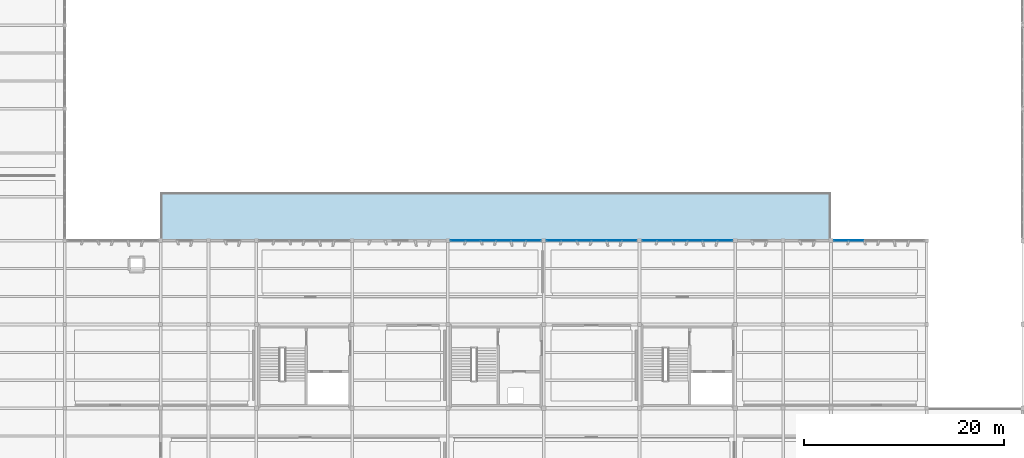
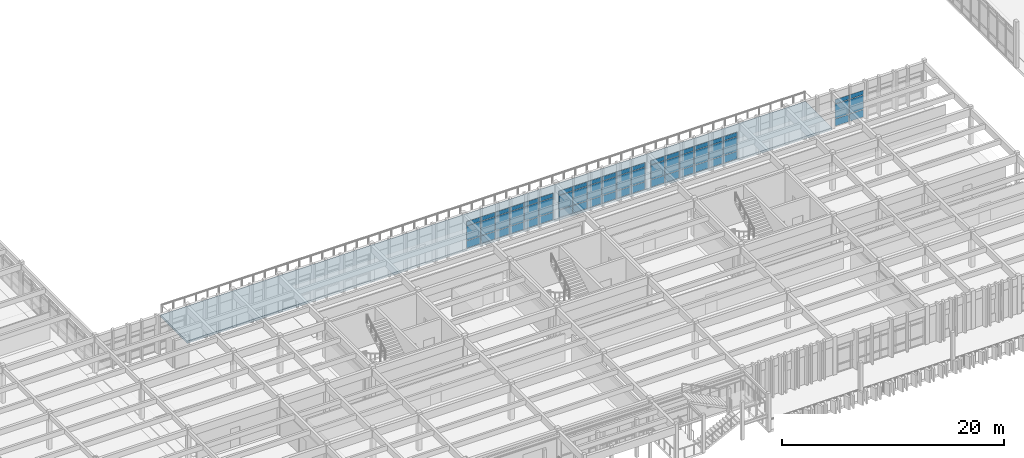
# One storey, part 32 of 61: 60 plates, 1 slab, 4 elements without a shape of their own.
"""IFC4 building model written with IfcOpenShell, lengths in metres."""

from ifc_helpers import new_model, si_unit, direction, frame, origin, origin_2d, place, context, subcontext, project, spatial, polyline, rectangle, outline, extrude, material, layer, layer_set, type_object, element, aggregate, save


model = new_model("IFC4")

# Units and contexts
model_context = context("Model", 3, precision=1e-05, world=origin(), true_north=direction((0.0, 1.0)))
body_context = subcontext(model_context, "Body", "Model", "MODEL_VIEW")
ifc_project = project(units=[si_unit("LENGTHUNIT", "METRE"), si_unit("AREAUNIT", "SQUARE_METRE"), si_unit("VOLUMEUNIT", "CUBIC_METRE"), si_unit("PLANEANGLEUNIT", "RADIAN"), si_unit("MASSUNIT", "GRAM", prefix="KILO")], contexts=[model_context])

# Site, building, storey
site_placement = place(None, origin())
site = spatial("IfcSite", under=ifc_project, at=site_placement, CompositionType="ELEMENT")
building_placement = place(site_placement, origin())
building = spatial("IfcBuilding", under=site, at=building_placement, Name="Kolvemor Railside Polytechnic", CompositionType="ELEMENT")
storey_placement = place(building_placement, frame((0.0, 0.0, 10.199951171875)))
storey = spatial("IfcBuildingStorey", under=building, at=storey_placement, Name="L02", CompositionType="ELEMENT", Elevation=10.199951171875)

# Curtain wall, plates
ifc_material_1 = material(Name="Anodised marine aluminium and laminated low-E glass", Category="aluminium")
ifc_layer_1 = layer(ifc_material_1, 0.179931640625, Name="CW-UNIT-STD")
ifc_layer_set_1 = layer_set([ifc_layer_1], Name="Anodised marine aluminium and laminated low-E glass")
curtain_wall_type = type_object("IfcCurtainWallType", Name="CW-UNIT-STD", PredefinedType="USERDEFINED", material=ifc_layer_set_1)
curtain_wall_1_placement = place(storey_placement, origin())
curtain_wall_1 = element("IfcCurtainWall", 1, at=curtain_wall_1_placement, inside=storey, type_object=curtain_wall_type, Name="Curtain Wall L02-122", ObjectType="UNITISED CURTAIN WALL", PredefinedType="USERDEFINED")
ifc_material_2 = material(Name="Hurricane-laminated solar-control low-E glass", Category="glass")
ifc_layer_2 = layer(ifc_material_2, 0.0380859375, Name="CWP-GLZ-09")
ifc_layer_set_2 = layer_set([ifc_layer_2], Name="Hurricane-laminated solar-control low-E glass")
plate_type_1 = type_object("IfcPlateType", Name="CWP-GLZ-09", PredefinedType="CURTAIN_PANEL", material=ifc_layer_set_2)
plate_1_placement = place(storey_placement, frame((94.983642578125, 38.39990234375, 0.06494140625), z_axis=(0.0, 0.0, 1.0), x_axis=(-1.0, 0.0, 0.0)))
plate_1 = element("IfcPlate", 2, at=plate_1_placement, type_object=plate_type_1, Name="CW-STD panel 1.1", PredefinedType="CURTAIN_PANEL", context=body_context, shape_type="SweptSolid", body=[
    extrude(rectangle(XDim=1.422607421875, YDim=0.0380859375, at=origin_2d()), origin(), (0.0, 0.0, 1.0), 0.802490234375),
])
plate_2_placement = place(storey_placement, frame((94.983642578125, 38.39990234375, 0.9326171875), z_axis=(0.0, 0.0, 1.0), x_axis=(-1.0, 0.0, 0.0)))
plate_2 = element("IfcPlate", 3, at=plate_2_placement, type_object=plate_type_1, Name="CW-STD panel 1.2", PredefinedType="CURTAIN_PANEL", context=body_context, shape_type="SweptSolid", body=[
    extrude(rectangle(XDim=1.422607421875, YDim=0.0380859375, at=origin_2d()), origin(), (0.0, 0.0, 1.0), 1.534912109375),
])
plate_3_placement = place(storey_placement, frame((94.983642578125, 38.39990234375, 2.53271484375), z_axis=(0.0, 0.0, 1.0), x_axis=(-1.0, 0.0, 0.0)))
plate_3 = element("IfcPlate", 4, at=plate_3_placement, type_object=plate_type_1, Name="CW-STD panel 1.3", PredefinedType="CURTAIN_PANEL", context=body_context, shape_type="SweptSolid", body=[
    extrude(rectangle(XDim=1.422607421875, YDim=0.0380859375, at=origin_2d()), origin(), (0.0, 0.0, 1.0), 0.452392578125),
])
plate_4_placement = place(storey_placement, frame((93.47998046875, 38.39990234375, 0.06494140625), z_axis=(0.0, 0.0, 1.0), x_axis=(-1.0, 0.0, 0.0)))
plate_4 = element("IfcPlate", 5, at=plate_4_placement, type_object=plate_type_1, Name="CW-STD panel 2.1", PredefinedType="CURTAIN_PANEL", context=body_context, shape_type="SweptSolid", body=[
    extrude(rectangle(XDim=1.455078125, YDim=0.0380859375, at=origin_2d()), origin(), (0.0, 0.0, 1.0), 0.802490234375),
])
plate_5_placement = place(storey_placement, frame((93.47998046875, 38.39990234375, 0.9326171875), z_axis=(0.0, 0.0, 1.0), x_axis=(-1.0, 0.0, 0.0)))
plate_5 = element("IfcPlate", 6, at=plate_5_placement, type_object=plate_type_1, Name="CW-STD panel 2.2", PredefinedType="CURTAIN_PANEL", context=body_context, shape_type="SweptSolid", body=[
    extrude(rectangle(XDim=1.455078125, YDim=0.0380859375, at=origin_2d()), origin(), (0.0, 0.0, 1.0), 1.534912109375),
])
plate_6_placement = place(storey_placement, frame((93.47998046875, 38.39990234375, 2.53271484375), z_axis=(0.0, 0.0, 1.0), x_axis=(-1.0, 0.0, 0.0)))
plate_6 = element("IfcPlate", 7, at=plate_6_placement, type_object=plate_type_1, Name="CW-STD panel 2.3", PredefinedType="CURTAIN_PANEL", context=body_context, shape_type="SweptSolid", body=[
    extrude(rectangle(XDim=1.455078125, YDim=0.0380859375, at=origin_2d()), origin(), (0.0, 0.0, 1.0), 0.452392578125),
])
plate_7_placement = place(storey_placement, frame((91.9599609375, 38.39990234375, 0.06494140625), z_axis=(0.0, 0.0, 1.0), x_axis=(-1.0, 0.0, 0.0)))
plate_7 = element("IfcPlate", 8, at=plate_7_placement, type_object=plate_type_1, Name="CW-STD panel 3.1", PredefinedType="CURTAIN_PANEL", context=body_context, shape_type="SweptSolid", body=[
    extrude(rectangle(XDim=1.455078125, YDim=0.0380859375, at=origin_2d()), origin(), (0.0, 0.0, 1.0), 0.802490234375),
])
plate_8_placement = place(storey_placement, frame((91.9599609375, 38.39990234375, 0.9326171875), z_axis=(0.0, 0.0, 1.0), x_axis=(-1.0, 0.0, 0.0)))
plate_8 = element("IfcPlate", 9, at=plate_8_placement, type_object=plate_type_1, Name="CW-STD panel 3.2", PredefinedType="CURTAIN_PANEL", context=body_context, shape_type="SweptSolid", body=[
    extrude(rectangle(XDim=1.455078125, YDim=0.0380859375, at=origin_2d()), origin(), (0.0, 0.0, 1.0), 1.534912109375),
])
plate_9_placement = place(storey_placement, frame((91.9599609375, 38.39990234375, 2.53271484375), z_axis=(0.0, 0.0, 1.0), x_axis=(-1.0, 0.0, 0.0)))
plate_9 = element("IfcPlate", 10, at=plate_9_placement, type_object=plate_type_1, Name="CW-STD panel 3.3", PredefinedType="CURTAIN_PANEL", context=body_context, shape_type="SweptSolid", body=[
    extrude(rectangle(XDim=1.455078125, YDim=0.0380859375, at=origin_2d()), origin(), (0.0, 0.0, 1.0), 0.452392578125),
])
plate_10_placement = place(storey_placement, frame((90.43994140625, 38.39990234375, 0.06494140625), z_axis=(0.0, 0.0, 1.0), x_axis=(-1.0, 0.0, 0.0)))
plate_10 = element("IfcPlate", 11, at=plate_10_placement, type_object=plate_type_1, Name="CW-STD panel 4.1", PredefinedType="CURTAIN_PANEL", context=body_context, shape_type="SweptSolid", body=[
    extrude(rectangle(XDim=1.455078125, YDim=0.0380859375, at=origin_2d()), origin(), (0.0, 0.0, 1.0), 0.802490234375),
])
plate_11_placement = place(storey_placement, frame((90.43994140625, 38.39990234375, 0.9326171875), z_axis=(0.0, 0.0, 1.0), x_axis=(-1.0, 0.0, 0.0)))
plate_11 = element("IfcPlate", 12, at=plate_11_placement, type_object=plate_type_1, Name="CW-STD panel 4.2", PredefinedType="CURTAIN_PANEL", context=body_context, shape_type="SweptSolid", body=[
    extrude(rectangle(XDim=1.455078125, YDim=0.0380859375, at=origin_2d()), origin(), (0.0, 0.0, 1.0), 1.534912109375),
])
plate_12_placement = place(storey_placement, frame((90.43994140625, 38.39990234375, 2.53271484375), z_axis=(0.0, 0.0, 1.0), x_axis=(-1.0, 0.0, 0.0)))
plate_12 = element("IfcPlate", 13, at=plate_12_placement, type_object=plate_type_1, Name="CW-STD panel 4.3", PredefinedType="CURTAIN_PANEL", context=body_context, shape_type="SweptSolid", body=[
    extrude(rectangle(XDim=1.455078125, YDim=0.0380859375, at=origin_2d()), origin(), (0.0, 0.0, 1.0), 0.452392578125),
])
plate_13_placement = place(storey_placement, frame((88.919921875, 38.39990234375, 0.06494140625), z_axis=(0.0, 0.0, 1.0), x_axis=(-1.0, 0.0, 0.0)))
plate_13 = element("IfcPlate", 14, at=plate_13_placement, type_object=plate_type_1, Name="CW-STD panel 5.1", PredefinedType="CURTAIN_PANEL", context=body_context, shape_type="SweptSolid", body=[
    extrude(rectangle(XDim=1.455078125, YDim=0.0380859375, at=origin_2d()), origin(), (0.0, 0.0, 1.0), 0.802490234375),
])
plate_14_placement = place(storey_placement, frame((88.919921875, 38.39990234375, 0.9326171875), z_axis=(0.0, 0.0, 1.0), x_axis=(-1.0, 0.0, 0.0)))
plate_14 = element("IfcPlate", 15, at=plate_14_placement, type_object=plate_type_1, Name="CW-STD panel 5.2", PredefinedType="CURTAIN_PANEL", context=body_context, shape_type="SweptSolid", body=[
    extrude(rectangle(XDim=1.455078125, YDim=0.0380859375, at=origin_2d()), origin(), (0.0, 0.0, 1.0), 1.534912109375),
])
plate_15_placement = place(storey_placement, frame((88.919921875, 38.39990234375, 2.53271484375), z_axis=(0.0, 0.0, 1.0), x_axis=(-1.0, 0.0, 0.0)))
plate_15 = element("IfcPlate", 16, at=plate_15_placement, type_object=plate_type_1, Name="CW-STD panel 5.3", PredefinedType="CURTAIN_PANEL", context=body_context, shape_type="SweptSolid", body=[
    extrude(rectangle(XDim=1.455078125, YDim=0.0380859375, at=origin_2d()), origin(), (0.0, 0.0, 1.0), 0.452392578125),
])
plate_16_placement = place(storey_placement, frame((87.416259765625, 38.39990234375, 0.06494140625), z_axis=(0.0, 0.0, 1.0), x_axis=(-1.0, 0.0, 0.0)))
plate_16 = element("IfcPlate", 17, at=plate_16_placement, type_object=plate_type_1, Name="CW-STD panel 6.1", PredefinedType="CURTAIN_PANEL", context=body_context, shape_type="SweptSolid", body=[
    extrude(rectangle(XDim=1.422607421875, YDim=0.0380859375, at=origin_2d()), origin(), (0.0, 0.0, 1.0), 0.802490234375),
])
plate_17_placement = place(storey_placement, frame((87.416259765625, 38.39990234375, 0.9326171875), z_axis=(0.0, 0.0, 1.0), x_axis=(-1.0, 0.0, 0.0)))
plate_17 = element("IfcPlate", 18, at=plate_17_placement, type_object=plate_type_1, Name="CW-STD panel 6.2", PredefinedType="CURTAIN_PANEL", context=body_context, shape_type="SweptSolid", body=[
    extrude(rectangle(XDim=1.422607421875, YDim=0.0380859375, at=origin_2d()), origin(), (0.0, 0.0, 1.0), 1.534912109375),
])
plate_18_placement = place(storey_placement, frame((87.416259765625, 38.39990234375, 2.53271484375), z_axis=(0.0, 0.0, 1.0), x_axis=(-1.0, 0.0, 0.0)))
plate_18 = element("IfcPlate", 19, at=plate_18_placement, type_object=plate_type_1, Name="CW-STD panel 6.3", PredefinedType="CURTAIN_PANEL", context=body_context, shape_type="SweptSolid", body=[
    extrude(rectangle(XDim=1.422607421875, YDim=0.0380859375, at=origin_2d()), origin(), (0.0, 0.0, 1.0), 0.452392578125),
])
aggregate(curtain_wall_1, [plate_1, plate_2, plate_3, plate_4, plate_5, plate_6, plate_7, plate_8, plate_9, plate_10, plate_11, plate_12, plate_13, plate_14, plate_15, plate_16, plate_17, plate_18])

curtain_wall_2_placement = place(storey_placement, origin())
curtain_wall_2 = element("IfcCurtainWall", 20, at=curtain_wall_2_placement, inside=storey, type_object=curtain_wall_type, Name="Curtain Wall L02-123", ObjectType="UNITISED CURTAIN WALL", PredefinedType="USERDEFINED")
ifc_material_3 = material(Name="Hurricane-laminated solar-control low-E glass", Category="glass")
ifc_layer_3 = layer(ifc_material_3, 0.0400390625, Name="CWP-GLZ-10")
ifc_layer_set_3 = layer_set([ifc_layer_3], Name="Hurricane-laminated solar-control low-E glass")
plate_type_2 = type_object("IfcPlateType", Name="CWP-GLZ-10", PredefinedType="CURTAIN_PANEL", material=ifc_layer_set_3)
plate_19_placement = place(storey_placement, frame((104.583740234375, 38.39990234375, 0.06494140625), z_axis=(0.0, 0.0, 1.0), x_axis=(-1.0, 0.0, 0.0)))
plate_19 = element("IfcPlate", 21, at=plate_19_placement, type_object=plate_type_2, Name="CW-STD panel 1.1", PredefinedType="CURTAIN_PANEL", context=body_context, shape_type="SweptSolid", body=[
    extrude(rectangle(XDim=1.422607421875, YDim=0.0400390625, at=origin_2d()), origin(), (0.0, 0.0, 1.0), 0.802490234375),
])
plate_20_placement = place(storey_placement, frame((104.583740234375, 38.39990234375, 0.9326171875), z_axis=(0.0, 0.0, 1.0), x_axis=(-1.0, 0.0, 0.0)))
plate_20 = element("IfcPlate", 22, at=plate_20_placement, type_object=plate_type_2, Name="CW-STD panel 1.2", PredefinedType="CURTAIN_PANEL", context=body_context, shape_type="SweptSolid", body=[
    extrude(rectangle(XDim=1.422607421875, YDim=0.0400390625, at=origin_2d()), origin(), (0.0, 0.0, 1.0), 1.534912109375),
])
plate_21_placement = place(storey_placement, frame((104.583740234375, 38.39990234375, 2.53271484375), z_axis=(0.0, 0.0, 1.0), x_axis=(-1.0, 0.0, 0.0)))
plate_21 = element("IfcPlate", 23, at=plate_21_placement, type_object=plate_type_2, Name="CW-STD panel 1.3", PredefinedType="CURTAIN_PANEL", context=body_context, shape_type="SweptSolid", body=[
    extrude(rectangle(XDim=1.422607421875, YDim=0.0400390625, at=origin_2d()), origin(), (0.0, 0.0, 1.0), 0.452392578125),
])
plate_22_placement = place(storey_placement, frame((103.080078125, 38.39990234375, 0.06494140625), z_axis=(0.0, 0.0, 1.0), x_axis=(-1.0, 0.0, 0.0)))
plate_22 = element("IfcPlate", 24, at=plate_22_placement, type_object=plate_type_2, Name="CW-STD panel 2.1", PredefinedType="CURTAIN_PANEL", context=body_context, shape_type="SweptSolid", body=[
    extrude(rectangle(XDim=1.455078125, YDim=0.0400390625, at=origin_2d()), origin(), (0.0, 0.0, 1.0), 0.802490234375),
])
plate_23_placement = place(storey_placement, frame((103.080078125, 38.39990234375, 0.9326171875), z_axis=(0.0, 0.0, 1.0), x_axis=(-1.0, 0.0, 0.0)))
plate_23 = element("IfcPlate", 25, at=plate_23_placement, type_object=plate_type_2, Name="CW-STD panel 2.2", PredefinedType="CURTAIN_PANEL", context=body_context, shape_type="SweptSolid", body=[
    extrude(rectangle(XDim=1.455078125, YDim=0.0400390625, at=origin_2d()), origin(), (0.0, 0.0, 1.0), 1.534912109375),
])
plate_24_placement = place(storey_placement, frame((103.080078125, 38.39990234375, 2.53271484375), z_axis=(0.0, 0.0, 1.0), x_axis=(-1.0, 0.0, 0.0)))
plate_24 = element("IfcPlate", 26, at=plate_24_placement, type_object=plate_type_2, Name="CW-STD panel 2.3", PredefinedType="CURTAIN_PANEL", context=body_context, shape_type="SweptSolid", body=[
    extrude(rectangle(XDim=1.455078125, YDim=0.0400390625, at=origin_2d()), origin(), (0.0, 0.0, 1.0), 0.452392578125),
])
plate_25_placement = place(storey_placement, frame((101.56005859375, 38.39990234375, 0.06494140625), z_axis=(0.0, 0.0, 1.0), x_axis=(-1.0, 0.0, 0.0)))
plate_25 = element("IfcPlate", 27, at=plate_25_placement, type_object=plate_type_2, Name="CW-STD panel 3.1", PredefinedType="CURTAIN_PANEL", context=body_context, shape_type="SweptSolid", body=[
    extrude(rectangle(XDim=1.455078125, YDim=0.0400390625, at=origin_2d()), origin(), (0.0, 0.0, 1.0), 0.802490234375),
])
plate_26_placement = place(storey_placement, frame((101.56005859375, 38.39990234375, 0.9326171875), z_axis=(0.0, 0.0, 1.0), x_axis=(-1.0, 0.0, 0.0)))
plate_26 = element("IfcPlate", 28, at=plate_26_placement, type_object=plate_type_2, Name="CW-STD panel 3.2", PredefinedType="CURTAIN_PANEL", context=body_context, shape_type="SweptSolid", body=[
    extrude(rectangle(XDim=1.455078125, YDim=0.0400390625, at=origin_2d()), origin(), (0.0, 0.0, 1.0), 1.534912109375),
])
plate_27_placement = place(storey_placement, frame((101.56005859375, 38.39990234375, 2.53271484375), z_axis=(0.0, 0.0, 1.0), x_axis=(-1.0, 0.0, 0.0)))
plate_27 = element("IfcPlate", 29, at=plate_27_placement, type_object=plate_type_2, Name="CW-STD panel 3.3", PredefinedType="CURTAIN_PANEL", context=body_context, shape_type="SweptSolid", body=[
    extrude(rectangle(XDim=1.455078125, YDim=0.0400390625, at=origin_2d()), origin(), (0.0, 0.0, 1.0), 0.452392578125),
])
plate_28_placement = place(storey_placement, frame((100.0400390625, 38.39990234375, 0.06494140625), z_axis=(0.0, 0.0, 1.0), x_axis=(-1.0, 0.0, 0.0)))
plate_28 = element("IfcPlate", 30, at=plate_28_placement, type_object=plate_type_2, Name="CW-STD panel 4.1", PredefinedType="CURTAIN_PANEL", context=body_context, shape_type="SweptSolid", body=[
    extrude(rectangle(XDim=1.455078125, YDim=0.0400390625, at=origin_2d()), origin(), (0.0, 0.0, 1.0), 0.802490234375),
])
plate_29_placement = place(storey_placement, frame((100.0400390625, 38.39990234375, 0.9326171875), z_axis=(0.0, 0.0, 1.0), x_axis=(-1.0, 0.0, 0.0)))
plate_29 = element("IfcPlate", 31, at=plate_29_placement, type_object=plate_type_2, Name="CW-STD panel 4.2", PredefinedType="CURTAIN_PANEL", context=body_context, shape_type="SweptSolid", body=[
    extrude(rectangle(XDim=1.455078125, YDim=0.0400390625, at=origin_2d()), origin(), (0.0, 0.0, 1.0), 1.534912109375),
])
plate_30_placement = place(storey_placement, frame((100.0400390625, 38.39990234375, 2.53271484375), z_axis=(0.0, 0.0, 1.0), x_axis=(-1.0, 0.0, 0.0)))
plate_30 = element("IfcPlate", 32, at=plate_30_placement, type_object=plate_type_2, Name="CW-STD panel 4.3", PredefinedType="CURTAIN_PANEL", context=body_context, shape_type="SweptSolid", body=[
    extrude(rectangle(XDim=1.455078125, YDim=0.0400390625, at=origin_2d()), origin(), (0.0, 0.0, 1.0), 0.452392578125),
])
plate_31_placement = place(storey_placement, frame((98.52001953125, 38.39990234375, 0.06494140625), z_axis=(0.0, 0.0, 1.0), x_axis=(-1.0, 0.0, 0.0)))
plate_31 = element("IfcPlate", 33, at=plate_31_placement, type_object=plate_type_2, Name="CW-STD panel 5.1", PredefinedType="CURTAIN_PANEL", context=body_context, shape_type="SweptSolid", body=[
    extrude(rectangle(XDim=1.455078125, YDim=0.0400390625, at=origin_2d()), origin(), (0.0, 0.0, 1.0), 0.802490234375),
])
plate_32_placement = place(storey_placement, frame((98.52001953125, 38.39990234375, 0.9326171875), z_axis=(0.0, 0.0, 1.0), x_axis=(-1.0, 0.0, 0.0)))
plate_32 = element("IfcPlate", 34, at=plate_32_placement, type_object=plate_type_2, Name="CW-STD panel 5.2", PredefinedType="CURTAIN_PANEL", context=body_context, shape_type="SweptSolid", body=[
    extrude(rectangle(XDim=1.455078125, YDim=0.0400390625, at=origin_2d()), origin(), (0.0, 0.0, 1.0), 1.534912109375),
])
plate_33_placement = place(storey_placement, frame((98.52001953125, 38.39990234375, 2.53271484375), z_axis=(0.0, 0.0, 1.0), x_axis=(-1.0, 0.0, 0.0)))
plate_33 = element("IfcPlate", 35, at=plate_33_placement, type_object=plate_type_2, Name="CW-STD panel 5.3", PredefinedType="CURTAIN_PANEL", context=body_context, shape_type="SweptSolid", body=[
    extrude(rectangle(XDim=1.455078125, YDim=0.0400390625, at=origin_2d()), origin(), (0.0, 0.0, 1.0), 0.452392578125),
])
plate_34_placement = place(storey_placement, frame((97.016357421875, 38.39990234375, 0.06494140625), z_axis=(0.0, 0.0, 1.0), x_axis=(-1.0, 0.0, 0.0)))
plate_34 = element("IfcPlate", 36, at=plate_34_placement, type_object=plate_type_2, Name="CW-STD panel 6.1", PredefinedType="CURTAIN_PANEL", context=body_context, shape_type="SweptSolid", body=[
    extrude(rectangle(XDim=1.422607421875, YDim=0.0400390625, at=origin_2d()), origin(), (0.0, 0.0, 1.0), 0.802490234375),
])
plate_35_placement = place(storey_placement, frame((97.016357421875, 38.39990234375, 0.9326171875), z_axis=(0.0, 0.0, 1.0), x_axis=(-1.0, 0.0, 0.0)))
plate_35 = element("IfcPlate", 37, at=plate_35_placement, type_object=plate_type_2, Name="CW-STD panel 6.2", PredefinedType="CURTAIN_PANEL", context=body_context, shape_type="SweptSolid", body=[
    extrude(rectangle(XDim=1.422607421875, YDim=0.0400390625, at=origin_2d()), origin(), (0.0, 0.0, 1.0), 1.534912109375),
])
plate_36_placement = place(storey_placement, frame((97.016357421875, 38.39990234375, 2.53271484375), z_axis=(0.0, 0.0, 1.0), x_axis=(-1.0, 0.0, 0.0)))
plate_36 = element("IfcPlate", 38, at=plate_36_placement, type_object=plate_type_2, Name="CW-STD panel 6.3", PredefinedType="CURTAIN_PANEL", context=body_context, shape_type="SweptSolid", body=[
    extrude(rectangle(XDim=1.422607421875, YDim=0.0400390625, at=origin_2d()), origin(), (0.0, 0.0, 1.0), 0.452392578125),
])
aggregate(curtain_wall_2, [plate_19, plate_20, plate_21, plate_22, plate_23, plate_24, plate_25, plate_26, plate_27, plate_28, plate_29, plate_30, plate_31, plate_32, plate_33, plate_34, plate_35, plate_36])

curtain_wall_3_placement = place(storey_placement, origin())
curtain_wall_3 = element("IfcCurtainWall", 39, at=curtain_wall_3_placement, inside=storey, type_object=curtain_wall_type, Name="Curtain Wall L02-124", ObjectType="UNITISED CURTAIN WALL", PredefinedType="USERDEFINED")
ifc_material_4 = material(Name="Hurricane-laminated solar-control low-E glass", Category="glass")
ifc_layer_4 = layer(ifc_material_4, 0.0419921875, Name="CWP-GLZ-11")
ifc_layer_set_4 = layer_set([ifc_layer_4], Name="Hurricane-laminated solar-control low-E glass")
plate_type_3 = type_object("IfcPlateType", Name="CWP-GLZ-11", PredefinedType="CURTAIN_PANEL", material=ifc_layer_set_4)
plate_37_placement = place(storey_placement, frame((114.183837890625, 38.39990234375, 0.06494140625), z_axis=(0.0, 0.0, 1.0), x_axis=(-1.0, 0.0, 0.0)))
plate_37 = element("IfcPlate", 40, at=plate_37_placement, type_object=plate_type_3, Name="CW-STD panel 1.1", PredefinedType="CURTAIN_PANEL", context=body_context, shape_type="SweptSolid", body=[
    extrude(rectangle(XDim=1.422607421875, YDim=0.0419921875, at=origin_2d()), origin(), (0.0, 0.0, 1.0), 0.802490234375),
])
plate_38_placement = place(storey_placement, frame((114.183837890625, 38.39990234375, 0.9326171875), z_axis=(0.0, 0.0, 1.0), x_axis=(-1.0, 0.0, 0.0)))
plate_38 = element("IfcPlate", 41, at=plate_38_placement, type_object=plate_type_3, Name="CW-STD panel 1.2", PredefinedType="CURTAIN_PANEL", context=body_context, shape_type="SweptSolid", body=[
    extrude(rectangle(XDim=1.422607421875, YDim=0.0419921875, at=origin_2d()), origin(), (0.0, 0.0, 1.0), 1.534912109375),
])
plate_39_placement = place(storey_placement, frame((114.183837890625, 38.39990234375, 2.53271484375), z_axis=(0.0, 0.0, 1.0), x_axis=(-1.0, 0.0, 0.0)))
plate_39 = element("IfcPlate", 42, at=plate_39_placement, type_object=plate_type_3, Name="CW-STD panel 1.3", PredefinedType="CURTAIN_PANEL", context=body_context, shape_type="SweptSolid", body=[
    extrude(rectangle(XDim=1.422607421875, YDim=0.0419921875, at=origin_2d()), origin(), (0.0, 0.0, 1.0), 0.452392578125),
])
plate_40_placement = place(storey_placement, frame((112.679931640625, 38.39990234375, 0.06494140625), z_axis=(0.0, 0.0, 1.0), x_axis=(-1.0, 0.0, 0.0)))
plate_40 = element("IfcPlate", 43, at=plate_40_placement, type_object=plate_type_3, Name="CW-STD panel 2.1", PredefinedType="CURTAIN_PANEL", context=body_context, shape_type="SweptSolid", body=[
    extrude(rectangle(XDim=1.455078125, YDim=0.0419921875, at=origin_2d()), origin(), (0.0, 0.0, 1.0), 0.802490234375),
])
plate_41_placement = place(storey_placement, frame((112.679931640625, 38.39990234375, 0.9326171875), z_axis=(0.0, 0.0, 1.0), x_axis=(-1.0, 0.0, 0.0)))
plate_41 = element("IfcPlate", 44, at=plate_41_placement, type_object=plate_type_3, Name="CW-STD panel 2.2", PredefinedType="CURTAIN_PANEL", context=body_context, shape_type="SweptSolid", body=[
    extrude(rectangle(XDim=1.455078125, YDim=0.0419921875, at=origin_2d()), origin(), (0.0, 0.0, 1.0), 1.534912109375),
])
plate_42_placement = place(storey_placement, frame((112.679931640625, 38.39990234375, 2.53271484375), z_axis=(0.0, 0.0, 1.0), x_axis=(-1.0, 0.0, 0.0)))
plate_42 = element("IfcPlate", 45, at=plate_42_placement, type_object=plate_type_3, Name="CW-STD panel 2.3", PredefinedType="CURTAIN_PANEL", context=body_context, shape_type="SweptSolid", body=[
    extrude(rectangle(XDim=1.455078125, YDim=0.0419921875, at=origin_2d()), origin(), (0.0, 0.0, 1.0), 0.452392578125),
])
plate_43_placement = place(storey_placement, frame((111.159912109375, 38.39990234375, 0.06494140625), z_axis=(0.0, 0.0, 1.0), x_axis=(-1.0, 0.0, 0.0)))
plate_43 = element("IfcPlate", 46, at=plate_43_placement, type_object=plate_type_3, Name="CW-STD panel 3.1", PredefinedType="CURTAIN_PANEL", context=body_context, shape_type="SweptSolid", body=[
    extrude(rectangle(XDim=1.455078125, YDim=0.0419921875, at=origin_2d()), origin(), (0.0, 0.0, 1.0), 0.802490234375),
])
plate_44_placement = place(storey_placement, frame((111.159912109375, 38.39990234375, 0.9326171875), z_axis=(0.0, 0.0, 1.0), x_axis=(-1.0, 0.0, 0.0)))
plate_44 = element("IfcPlate", 47, at=plate_44_placement, type_object=plate_type_3, Name="CW-STD panel 3.2", PredefinedType="CURTAIN_PANEL", context=body_context, shape_type="SweptSolid", body=[
    extrude(rectangle(XDim=1.455078125, YDim=0.0419921875, at=origin_2d()), origin(), (0.0, 0.0, 1.0), 1.534912109375),
])
plate_45_placement = place(storey_placement, frame((111.159912109375, 38.39990234375, 2.53271484375), z_axis=(0.0, 0.0, 1.0), x_axis=(-1.0, 0.0, 0.0)))
plate_45 = element("IfcPlate", 48, at=plate_45_placement, type_object=plate_type_3, Name="CW-STD panel 3.3", PredefinedType="CURTAIN_PANEL", context=body_context, shape_type="SweptSolid", body=[
    extrude(rectangle(XDim=1.455078125, YDim=0.0419921875, at=origin_2d()), origin(), (0.0, 0.0, 1.0), 0.452392578125),
])
plate_46_placement = place(storey_placement, frame((109.639892578125, 38.39990234375, 0.06494140625), z_axis=(0.0, 0.0, 1.0), x_axis=(-1.0, 0.0, 0.0)))
plate_46 = element("IfcPlate", 49, at=plate_46_placement, type_object=plate_type_3, Name="CW-STD panel 4.1", PredefinedType="CURTAIN_PANEL", context=body_context, shape_type="SweptSolid", body=[
    extrude(rectangle(XDim=1.455078125, YDim=0.0419921875, at=origin_2d()), origin(), (0.0, 0.0, 1.0), 0.802490234375),
])
plate_47_placement = place(storey_placement, frame((109.639892578125, 38.39990234375, 0.9326171875), z_axis=(0.0, 0.0, 1.0), x_axis=(-1.0, 0.0, 0.0)))
plate_47 = element("IfcPlate", 50, at=plate_47_placement, type_object=plate_type_3, Name="CW-STD panel 4.2", PredefinedType="CURTAIN_PANEL", context=body_context, shape_type="SweptSolid", body=[
    extrude(rectangle(XDim=1.455078125, YDim=0.0419921875, at=origin_2d()), origin(), (0.0, 0.0, 1.0), 1.534912109375),
])
plate_48_placement = place(storey_placement, frame((109.639892578125, 38.39990234375, 2.53271484375), z_axis=(0.0, 0.0, 1.0), x_axis=(-1.0, 0.0, 0.0)))
plate_48 = element("IfcPlate", 51, at=plate_48_placement, type_object=plate_type_3, Name="CW-STD panel 4.3", PredefinedType="CURTAIN_PANEL", context=body_context, shape_type="SweptSolid", body=[
    extrude(rectangle(XDim=1.455078125, YDim=0.0419921875, at=origin_2d()), origin(), (0.0, 0.0, 1.0), 0.452392578125),
])
plate_49_placement = place(storey_placement, frame((108.1201171875, 38.39990234375, 0.06494140625), z_axis=(0.0, 0.0, 1.0), x_axis=(-1.0, 0.0, 0.0)))
plate_49 = element("IfcPlate", 52, at=plate_49_placement, type_object=plate_type_3, Name="CW-STD panel 5.1", PredefinedType="CURTAIN_PANEL", context=body_context, shape_type="SweptSolid", body=[
    extrude(rectangle(XDim=1.455078125, YDim=0.0419921875, at=origin_2d()), origin(), (0.0, 0.0, 1.0), 0.802490234375),
])
plate_50_placement = place(storey_placement, frame((108.1201171875, 38.39990234375, 0.9326171875), z_axis=(0.0, 0.0, 1.0), x_axis=(-1.0, 0.0, 0.0)))
plate_50 = element("IfcPlate", 53, at=plate_50_placement, type_object=plate_type_3, Name="CW-STD panel 5.2", PredefinedType="CURTAIN_PANEL", context=body_context, shape_type="SweptSolid", body=[
    extrude(rectangle(XDim=1.455078125, YDim=0.0419921875, at=origin_2d()), origin(), (0.0, 0.0, 1.0), 1.534912109375),
])
plate_51_placement = place(storey_placement, frame((108.1201171875, 38.39990234375, 2.53271484375), z_axis=(0.0, 0.0, 1.0), x_axis=(-1.0, 0.0, 0.0)))
plate_51 = element("IfcPlate", 54, at=plate_51_placement, type_object=plate_type_3, Name="CW-STD panel 5.3", PredefinedType="CURTAIN_PANEL", context=body_context, shape_type="SweptSolid", body=[
    extrude(rectangle(XDim=1.455078125, YDim=0.0419921875, at=origin_2d()), origin(), (0.0, 0.0, 1.0), 0.452392578125),
])
plate_52_placement = place(storey_placement, frame((106.6162109375, 38.39990234375, 0.06494140625), z_axis=(0.0, 0.0, 1.0), x_axis=(-1.0, 0.0, 0.0)))
plate_52 = element("IfcPlate", 55, at=plate_52_placement, type_object=plate_type_3, Name="CW-STD panel 6.1", PredefinedType="CURTAIN_PANEL", context=body_context, shape_type="SweptSolid", body=[
    extrude(rectangle(XDim=1.422607421875, YDim=0.0419921875, at=origin_2d()), origin(), (0.0, 0.0, 1.0), 0.802490234375),
])
plate_53_placement = place(storey_placement, frame((106.6162109375, 38.39990234375, 0.9326171875), z_axis=(0.0, 0.0, 1.0), x_axis=(-1.0, 0.0, 0.0)))
plate_53 = element("IfcPlate", 56, at=plate_53_placement, type_object=plate_type_3, Name="CW-STD panel 6.2", PredefinedType="CURTAIN_PANEL", context=body_context, shape_type="SweptSolid", body=[
    extrude(rectangle(XDim=1.422607421875, YDim=0.0419921875, at=origin_2d()), origin(), (0.0, 0.0, 1.0), 1.534912109375),
])
plate_54_placement = place(storey_placement, frame((106.6162109375, 38.39990234375, 2.53271484375), z_axis=(0.0, 0.0, 1.0), x_axis=(-1.0, 0.0, 0.0)))
plate_54 = element("IfcPlate", 57, at=plate_54_placement, type_object=plate_type_3, Name="CW-STD panel 6.3", PredefinedType="CURTAIN_PANEL", context=body_context, shape_type="SweptSolid", body=[
    extrude(rectangle(XDim=1.422607421875, YDim=0.0419921875, at=origin_2d()), origin(), (0.0, 0.0, 1.0), 0.452392578125),
])
aggregate(curtain_wall_3, [plate_37, plate_38, plate_39, plate_40, plate_41, plate_42, plate_43, plate_44, plate_45, plate_46, plate_47, plate_48, plate_49, plate_50, plate_51, plate_52, plate_53, plate_54])

curtain_wall_4_placement = place(storey_placement, origin())
curtain_wall_4 = element("IfcCurtainWall", 58, at=curtain_wall_4_placement, inside=storey, type_object=curtain_wall_type, Name="Curtain Wall L02-125", ObjectType="UNITISED CURTAIN WALL", PredefinedType="USERDEFINED")
ifc_material_5 = material(Name="Hurricane-laminated solar-control low-E glass", Category="glass")
ifc_layer_5 = layer(ifc_material_5, 0.048095703125, Name="CWP-GLZ-14")
ifc_layer_set_5 = layer_set([ifc_layer_5], Name="Hurricane-laminated solar-control low-E glass")
plate_type_4 = type_object("IfcPlateType", Name="CWP-GLZ-14", PredefinedType="CURTAIN_PANEL", material=ifc_layer_set_5)
plate_55_placement = place(storey_placement, frame((127.320068359375, 38.39990234375, 0.06494140625), z_axis=(0.0, 0.0, 1.0), x_axis=(-1.0, 0.0, 0.0)))
plate_55 = element("IfcPlate", 59, at=plate_55_placement, type_object=plate_type_4, Name="CW-STD panel 5.1", PredefinedType="CURTAIN_PANEL", context=body_context, shape_type="SweptSolid", body=[
    extrude(rectangle(XDim=1.455078125, YDim=0.048095703125, at=origin_2d()), origin(), (0.0, 0.0, 1.0), 0.802490234375),
])
plate_56_placement = place(storey_placement, frame((127.320068359375, 38.39990234375, 0.9326171875), z_axis=(0.0, 0.0, 1.0), x_axis=(-1.0, 0.0, 0.0)))
plate_56 = element("IfcPlate", 60, at=plate_56_placement, type_object=plate_type_4, Name="CW-STD panel 5.2", PredefinedType="CURTAIN_PANEL", context=body_context, shape_type="SweptSolid", body=[
    extrude(rectangle(XDim=1.455078125, YDim=0.048095703125, at=origin_2d()), origin(), (0.0, 0.0, 1.0), 1.534912109375),
])
plate_57_placement = place(storey_placement, frame((127.320068359375, 38.39990234375, 2.53271484375), z_axis=(0.0, 0.0, 1.0), x_axis=(-1.0, 0.0, 0.0)))
plate_57 = element("IfcPlate", 61, at=plate_57_placement, type_object=plate_type_4, Name="CW-STD panel 5.3", PredefinedType="CURTAIN_PANEL", context=body_context, shape_type="SweptSolid", body=[
    extrude(rectangle(XDim=1.455078125, YDim=0.048095703125, at=origin_2d()), origin(), (0.0, 0.0, 1.0), 0.452392578125),
])
plate_58_placement = place(storey_placement, frame((125.816162109375, 38.39990234375, 0.06494140625), z_axis=(0.0, 0.0, 1.0), x_axis=(-1.0, 0.0, 0.0)))
plate_58 = element("IfcPlate", 62, at=plate_58_placement, type_object=plate_type_4, Name="CW-STD panel 6.1", PredefinedType="CURTAIN_PANEL", context=body_context, shape_type="SweptSolid", body=[
    extrude(rectangle(XDim=1.422607421875, YDim=0.048095703125, at=origin_2d()), origin(), (0.0, 0.0, 1.0), 0.802490234375),
])
plate_59_placement = place(storey_placement, frame((125.816162109375, 38.39990234375, 0.9326171875), z_axis=(0.0, 0.0, 1.0), x_axis=(-1.0, 0.0, 0.0)))
plate_59 = element("IfcPlate", 63, at=plate_59_placement, type_object=plate_type_4, Name="CW-STD panel 6.2", PredefinedType="CURTAIN_PANEL", context=body_context, shape_type="SweptSolid", body=[
    extrude(rectangle(XDim=1.422607421875, YDim=0.048095703125, at=origin_2d()), origin(), (0.0, 0.0, 1.0), 1.534912109375),
])
plate_60_placement = place(storey_placement, frame((125.816162109375, 38.39990234375, 2.53271484375), z_axis=(0.0, 0.0, 1.0), x_axis=(-1.0, 0.0, 0.0)))
plate_60 = element("IfcPlate", 64, at=plate_60_placement, type_object=plate_type_4, Name="CW-STD panel 6.3", PredefinedType="CURTAIN_PANEL", context=body_context, shape_type="SweptSolid", body=[
    extrude(rectangle(XDim=1.422607421875, YDim=0.048095703125, at=origin_2d()), origin(), (0.0, 0.0, 1.0), 0.452392578125),
])
aggregate(curtain_wall_4, [plate_55, plate_56, plate_57, plate_58, plate_59, plate_60])

# Slab
ifc_material_6 = material(Name="Concrete C40/50", Category="concrete")
ifc_layer_6 = layer(ifc_material_6, 0.25, Name="SLB-TER-250")
ifc_layer_set_6 = layer_set([ifc_layer_6], Name="Concrete C40/50")
slab_type = type_object("IfcSlabType", Name="SLB-TER-250", PredefinedType="FLOOR", material=ifc_layer_set_6)
slab_placement = place(storey_placement, frame((0.0, 0.0, -0.25)))
element("IfcSlab", 65, at=slab_placement, inside=storey, type_object=slab_type, Name="Corner Study Terrace L02-N L02-91", PredefinedType="FLOOR", context=body_context, shape_type="SweptSolid", body=[
    extrude(outline(polyline([(57.60009765625, 38.39990234375), (124.800048828125, 38.39990234375), (124.800048828125, 43.199951171875), (57.60009765625, 43.199951171875), (57.60009765625, 38.39990234375)])), origin(), (0.0, 0.0, 1.0), 0.25),
])

save(model, "model.ifc")
